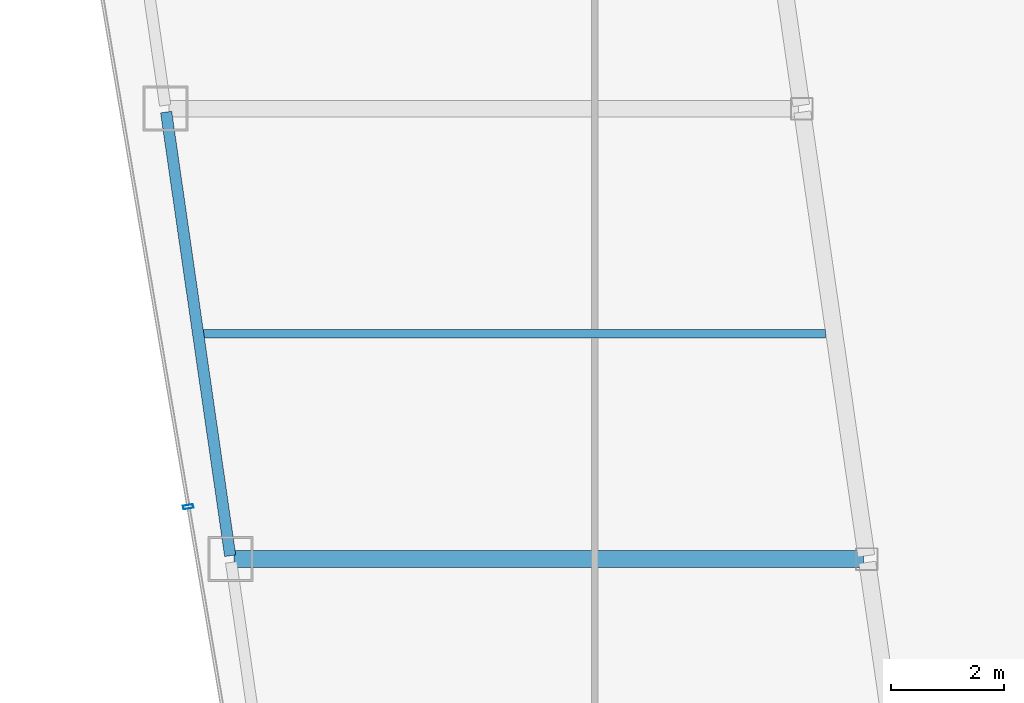
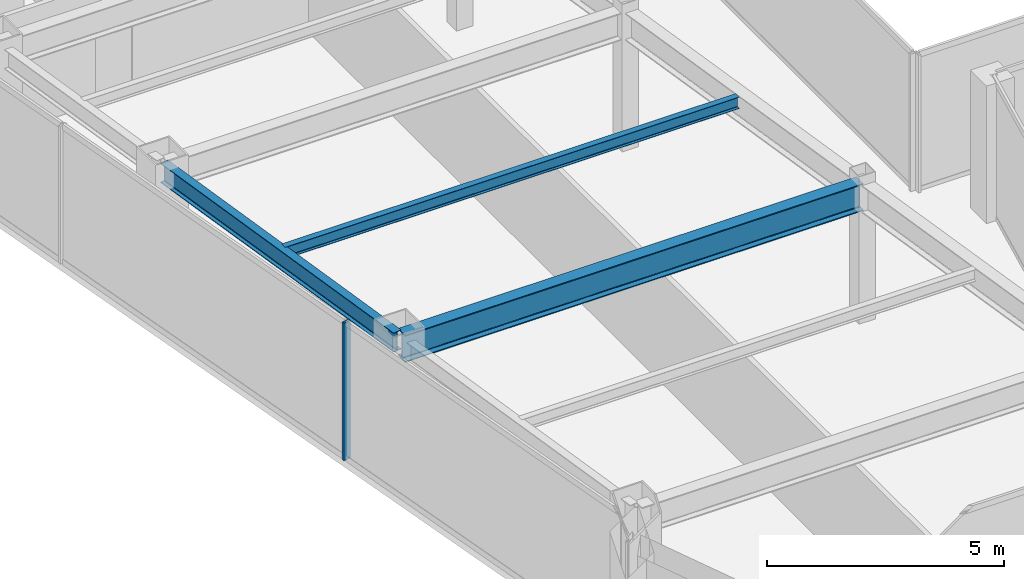
# One storey, part 5 of 35: 3 beams, 1 member, 1 element without a shape of its own.
"""IFC4 building model written with IfcOpenShell, lengths in metres."""

from ifc_helpers import new_model, si_unit, direction, frame, origin, origin_2d, place, context, subcontext, project, spatial, hollow_rectangle, i_section, extrude, material, material_profile, profile_set, type_object, element, aggregate, save


model = new_model("IFC4")

# Units and contexts
model_context = context("Model", 3, precision=1e-05, world=origin(), true_north=direction((0.0, 1.0)))
body_context = subcontext(model_context, "Body", "Model", "MODEL_VIEW")
ifc_project = project(units=[si_unit("LENGTHUNIT", "METRE"), si_unit("AREAUNIT", "SQUARE_METRE"), si_unit("VOLUMEUNIT", "CUBIC_METRE"), si_unit("PLANEANGLEUNIT", "RADIAN"), si_unit("MASSUNIT", "GRAM", prefix="KILO")], contexts=[model_context])

# Site, building, storey
site_placement = place(None, origin())
site = spatial("IfcSite", under=ifc_project, at=site_placement, CompositionType="ELEMENT")
building_placement = place(site_placement, origin())
building = spatial("IfcBuilding", under=site, at=building_placement, Name="Saevonmaru Cultural Tower", CompositionType="ELEMENT")
storey_placement = place(building_placement, frame((0.0, 0.0, 213.199951171875)))
storey = spatial("IfcBuildingStorey", under=building, at=storey_placement, Name="L49", CompositionType="ELEMENT", Elevation=213.199951171875)

# Beams
ifc_material_1 = material(Name="Steel SM355", Category="steel")
ifc_material_profile_1 = material_profile(ifc_material_1, i_section(OverallWidth=0.300048828125, OverallDepth=0.699951171875, WebThickness=0.012939453125, FlangeThickness=0.02392578125, FilletRadius=0.02587890625, at=origin_2d()), Name="H-700x300x13x24")
ifc_profile_set_1 = profile_set([ifc_material_profile_1], Name="Steel SM355")
beam_type_1 = type_object("IfcBeamType", Name="BM-G-H700", PredefinedType="BEAM", material=ifc_profile_set_1)
beam_1_placement = place(storey_placement, frame((9.531982421875, 24.0, 3.199951171875), z_axis=(1.0, 0.0, 0.0), x_axis=(0.0, 1.0, 0.0)))
element("IfcBeam", 1, at=beam_1_placement, inside=storey, type_object=beam_type_1, Name="L49 West Wing Transverse Girder 2", PredefinedType="BEAM", context=body_context, shape_type="SweptSolid", body=[
    extrude(i_section(OverallWidth=0.300048828125, OverallDepth=0.699951171875, WebThickness=0.012939453125, FlangeThickness=0.02392578125, FilletRadius=0.02587890625, at=origin_2d()), origin(), (0.0, 0.0, 1.0), 11.179931640625),
])
ifc_material_profile_2 = material_profile(ifc_material_1, i_section(OverallWidth=0.14990234375, OverallDepth=0.300048828125, WebThickness=0.006591796875, FlangeThickness=0.009033203125, FilletRadius=0.012939453125, at=origin_2d()), Name="H-300x150x6.5x9")
ifc_profile_set_2 = profile_set([ifc_material_profile_2], Name="Steel SM355")
beam_type_2 = type_object("IfcBeamType", Name="BM-J-H300", PredefinedType="JOIST", material=ifc_profile_set_2)
beam_2_placement = place(storey_placement, frame((8.95458984375, 28.0, 3.400146484375), z_axis=(1.0, 0.0, 0.0), x_axis=(0.0, 1.0, 0.0)))
element("IfcBeam", 2, at=beam_2_placement, inside=storey, type_object=beam_type_2, Name="L49 West Wing Floor Joist 2", PredefinedType="JOIST", context=body_context, shape_type="SweptSolid", body=[
    extrude(i_section(OverallWidth=0.14990234375, OverallDepth=0.300048828125, WebThickness=0.006591796875, FlangeThickness=0.009033203125, FilletRadius=0.012939453125, at=origin_2d()), origin(), (0.0, 0.0, 1.0), 11.08203125),
])
ifc_material_profile_3 = material_profile(ifc_material_1, i_section(OverallWidth=0.199951171875, OverallDepth=0.5, WebThickness=0.010009765625, FlangeThickness=0.01611328125, FilletRadius=0.02001953125, at=origin_2d()), Name="H-500x200x10x16")
ifc_profile_set_3 = profile_set([ifc_material_profile_3], Name="Steel SM355")
beam_type_3 = type_object("IfcBeamType", Name="BM-SP-H500", PredefinedType="SPANDREL", material=ifc_profile_set_3)
beam_3_placement = place(storey_placement, frame((9.46337890625, 24.059326171875, 3.300048828125), z_axis=(-0.142871999001, 0.989741174197, 0.0), x_axis=(-0.989741174197, -0.142871999001, 0.0)))
element("IfcBeam", 3, at=beam_3_placement, inside=storey, type_object=beam_type_3, Name="L49 West Splayed Spandrel 2", PredefinedType="SPANDREL", context=body_context, shape_type="SweptSolid", body=[
    extrude(i_section(OverallWidth=0.199951171875, OverallDepth=0.5, WebThickness=0.010009765625, FlangeThickness=0.01611328125, FilletRadius=0.02001953125, at=origin_2d()), origin(), (0.0, 0.0, 1.0), 7.963134765625),
])

# Curtain wall, member
ifc_material_2 = material(Name="Satin Bronze Anodised Aluminium", Category="aluminium")
curtain_wall_type = type_object("IfcCurtainWallType", Name="CW-TYP-B", PredefinedType="NOTDEFINED", material=ifc_material_2)
curtain_wall_placement = place(storey_placement, origin())
curtain_wall = element("IfcCurtainWall", 4, at=curtain_wall_placement, inside=storey, type_object=curtain_wall_type, Name="L49 Unitised Curtain Wall E12", PredefinedType="NOTDEFINED")
ifc_material_profile_4 = material_profile(ifc_material_2, hollow_rectangle(XDim=0.06494140625, YDim=0.179931640625, WallThickness=0.00390625, at=origin_2d()), Name="ALU-MULL-180x65x4")
ifc_profile_set_4 = profile_set([ifc_material_profile_4], Name="Satin Bronze Anodised Aluminium")
member_type = type_object("IfcMemberType", Name="ML-CW-180x65", PredefinedType="MULLION", material=ifc_profile_set_4)
member_placement = place(storey_placement, frame((8.71826171875, 24.9296875, 0.0), z_axis=(0.0, 0.0, 1.0), x_axis=(0.16692169721, -0.985970155228, 0.0)))
member = element("IfcMember", 5, at=member_placement, type_object=member_type, Name="CW-TW-L49-E12 mullion 4", PredefinedType="MULLION", context=body_context, shape_type="SweptSolid", body=[
    extrude(hollow_rectangle(XDim=0.06494140625, YDim=0.179931640625, WallThickness=0.00390625, at=origin_2d()), origin(), (0.0, 0.0, 1.0), 3.550048828125),
])
aggregate(curtain_wall, [member])

save(model, "model.ifc")
